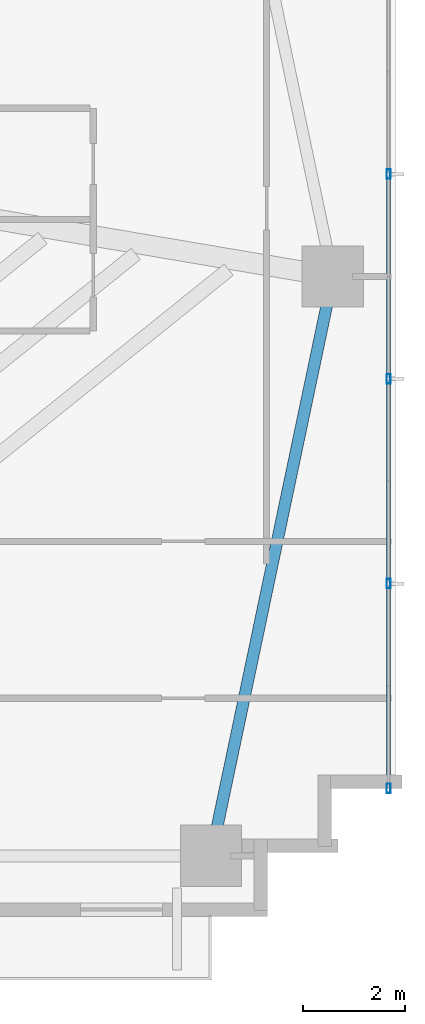
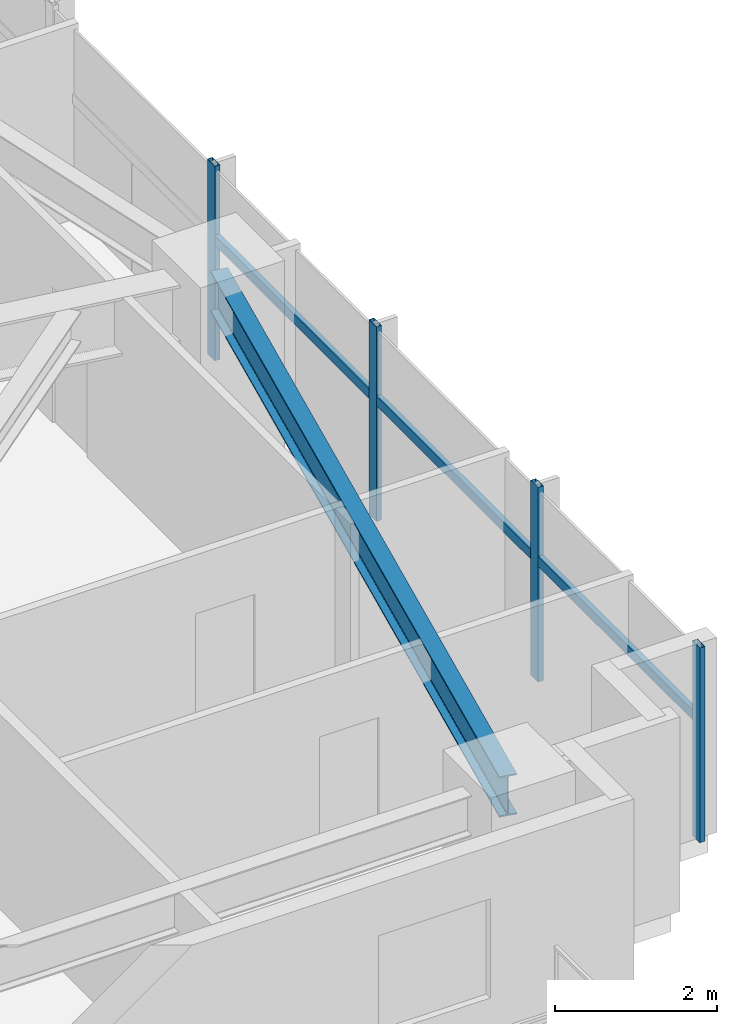
# One storey, part 14 of 25: 7 members, 1 beam, 1 element without a shape of its own.
"""IFC4 building model written with IfcOpenShell, lengths in metres."""

from ifc_helpers import new_model, si_unit, direction, frame, origin, origin_2d, place, context, subcontext, project, spatial, hollow_rectangle, i_section, extrude, source, transform, mapped, material, material_profile, profile_set, type_object, type_shapes, element, aggregate, save


model = new_model("IFC4")

# Units and contexts
model_context = context("Model", 3, precision=1e-05, world=origin(), true_north=direction((0.0, 1.0)))
body_context = subcontext(model_context, "Body", "Model", "MODEL_VIEW")
ifc_project = project(units=[si_unit("LENGTHUNIT", "METRE"), si_unit("AREAUNIT", "SQUARE_METRE"), si_unit("VOLUMEUNIT", "CUBIC_METRE"), si_unit("PLANEANGLEUNIT", "RADIAN"), si_unit("MASSUNIT", "GRAM", prefix="KILO")], contexts=[model_context])

# Site, building, storey
site_placement = place(None, origin())
site = spatial("IfcSite", under=ifc_project, at=site_placement, CompositionType="ELEMENT")
building_placement = place(site_placement, origin())
building = spatial("IfcBuilding", under=site, at=building_placement, Name="Astriad Promenade Condominiums", CompositionType="ELEMENT")
storey_placement = place(building_placement, frame((0.0, 0.0, 51.800048828125)))
storey = spatial("IfcBuildingStorey", under=building, at=storey_placement, Name="L14", CompositionType="ELEMENT", Elevation=51.800048828125)

# Beam
ifc_material_1 = material(Name="Steel ASTM A992 Grade 50", Category="steel")
ifc_material_profile_1 = material_profile(ifc_material_1, i_section(OverallWidth=0.22900390625, OverallDepth=0.612060546875, WebThickness=0.011962890625, FlangeThickness=0.01953125, FilletRadius=0.017822265625, at=origin_2d()), Name="W24X84")
ifc_profile_set_1 = profile_set([ifc_material_profile_1], Name="Steel ASTM A992 Grade 50")
beam_type = type_object("IfcBeamType", Name="STEEL SPANDREL BEAM W24X84", PredefinedType="SPANDREL", material=ifc_profile_set_1)
shared_shape_1 = source(origin(), body_context, "Body", "SweptSolid", [
    extrude(i_section(OverallWidth=0.22900390625, OverallDepth=0.612060546875, WebThickness=0.011962890625, FlangeThickness=0.01953125, FilletRadius=0.017822265625, at=origin_2d()), origin(), (0.0, 0.0, 1.0), 11.487548828125),
])
type_shapes(beam_type, [shared_shape_1])
beam_placement = place(storey_placement, frame((56.208251953125, 3.919189453125, 2.634033203125), z_axis=(0.205748055501, 0.978604995725, 0.0), x_axis=(-0.978604995725, 0.205748055501, 0.0)))
element("IfcBeam", 1, at=beam_placement, inside=storey, type_object=beam_type, Name="Perimeter Spandrel Beam SP-E1-L14", PredefinedType="SPANDREL", context=body_context, shape_type="MappedRepresentation", body=[
    mapped(shared_shape_1, transform((0.0, 0.0, 0.0), scale=1.0)),
])

# Curtain wall, members
ifc_material_2 = material(Name="Anodised aluminium Black Dark Glass Unitised", Category="aluminium")
curtain_wall_type = type_object("IfcCurtainWallType", Name="CW-B1-DARK", PredefinedType="USERDEFINED", material=ifc_material_2)
curtain_wall_placement = place(storey_placement, origin())
curtain_wall = element("IfcCurtainWall", 2, at=curtain_wall_placement, inside=storey, type_object=curtain_wall_type, Name="CW-L14-E", ObjectType="UNITISED_CURTAIN_WALL", PredefinedType="USERDEFINED")
ifc_material_3 = material(Name="Anodised aluminium 6063-T6 Black", Category="aluminium")
ifc_material_profile_2 = material_profile(ifc_material_3, hollow_rectangle(XDim=0.074951171875, YDim=0.18505859375, WallThickness=0.00439453125, at=origin_2d()), Name="ALU-MUL-75X185")
ifc_profile_set_2 = profile_set([ifc_material_profile_2], Name="Anodised aluminium 6063-T6 Black")
member_type_1 = type_object("IfcMemberType", Name="MUL-ALU-MUL-75X185", PredefinedType="MULLION", material=ifc_profile_set_2)
shared_shape_2 = source(origin(), body_context, "Body", "SweptSolid", [
    extrude(hollow_rectangle(XDim=0.074951171875, YDim=0.18505859375, WallThickness=0.00439453125, at=origin_2d()), origin(), (0.0, 0.0, 1.0), 2.93994140625),
])
type_shapes(member_type_1, [shared_shape_2])
member_1_placement = place(storey_placement, frame((59.669921875, 17.199951171875, 0.0), z_axis=(0.0, 0.0, 1.0), x_axis=(1.0, 0.0, 0.0)))
member_1 = element("IfcMember", 3, at=member_1_placement, type_object=member_type_1, Name="CW-L14-E-MUL-02", PredefinedType="MULLION", context=body_context, shape_type="MappedRepresentation", body=[
    mapped(shared_shape_2, transform((0.0, 0.0, 0.0), scale=1.0)),
])
member_2_placement = place(storey_placement, frame((59.669921875, 13.199951171875, 0.0), z_axis=(0.0, 0.0, 1.0), x_axis=(1.0, 0.0, 0.0)))
member_2 = element("IfcMember", 4, at=member_2_placement, type_object=member_type_1, Name="CW-L14-E-MUL-03", PredefinedType="MULLION", context=body_context, shape_type="MappedRepresentation", body=[
    mapped(shared_shape_2, transform((0.0, 0.0, 0.0), scale=1.0)),
])
member_3_placement = place(storey_placement, frame((59.669921875, 9.199951171875, 0.0), z_axis=(0.0, 0.0, 1.0), x_axis=(1.0, 0.0, 0.0)))
member_3 = element("IfcMember", 5, at=member_3_placement, type_object=member_type_1, Name="CW-L14-E-MUL-04", PredefinedType="MULLION", context=body_context, shape_type="MappedRepresentation", body=[
    mapped(shared_shape_2, transform((0.0, 0.0, 0.0), scale=1.0)),
])
member_4_placement = place(storey_placement, frame((59.669921875, 5.199951171875, 0.0), z_axis=(0.0, 0.0, 1.0), x_axis=(1.0, 0.0, 0.0)))
member_4 = element("IfcMember", 6, at=member_4_placement, type_object=member_type_1, Name="CW-L14-E-MUL-05", PredefinedType="MULLION", context=body_context, shape_type="MappedRepresentation", body=[
    mapped(shared_shape_2, transform((0.0, 0.0, 0.0), scale=1.0)),
])
ifc_material_profile_3 = material_profile(ifc_material_3, hollow_rectangle(XDim=0.074951171875, YDim=0.14990234375, WallThickness=0.004150390625, at=origin_2d()), Name="ALU-TRN-75X150")
ifc_profile_set_3 = profile_set([ifc_material_profile_3], Name="Anodised aluminium 6063-T6 Black")
member_type_2 = type_object("IfcMemberType", Name="TRN-ALU-TRN-75X150", PredefinedType="USERDEFINED", material=ifc_profile_set_3)
shared_shape_3 = source(origin(), body_context, "Body", "SweptSolid", [
    extrude(hollow_rectangle(XDim=0.074951171875, YDim=0.14990234375, WallThickness=0.004150390625, at=origin_2d()), origin(), (0.0, 0.0, 1.0), 4.0),
])
type_shapes(member_type_2, [shared_shape_3])
member_5_placement = place(storey_placement, frame((59.669921875, 17.199951171875, 1.82275390625), z_axis=(0.0, -1.0, 0.0), x_axis=(1.0, 0.0, 0.0)))
member_5 = element("IfcMember", 7, at=member_5_placement, type_object=member_type_2, Name="CW-L14-E-TRN-02-0", ObjectType="TRANSOM", PredefinedType="USERDEFINED", context=body_context, shape_type="MappedRepresentation", body=[
    mapped(shared_shape_3, transform((0.0, 0.0, 0.0), scale=1.0)),
])
member_6_placement = place(storey_placement, frame((59.669921875, 13.199951171875, 1.82275390625), z_axis=(0.0, -1.0, 0.0), x_axis=(1.0, 0.0, 0.0)))
member_6 = element("IfcMember", 8, at=member_6_placement, type_object=member_type_2, Name="CW-L14-E-TRN-03-0", ObjectType="TRANSOM", PredefinedType="USERDEFINED", context=body_context, shape_type="MappedRepresentation", body=[
    mapped(shared_shape_3, transform((0.0, 0.0, 0.0), scale=1.0)),
])
member_7_placement = place(storey_placement, frame((59.669921875, 9.199951171875, 1.82275390625), z_axis=(0.0, -1.0, 0.0), x_axis=(1.0, 0.0, 0.0)))
member_7 = element("IfcMember", 9, at=member_7_placement, type_object=member_type_2, Name="CW-L14-E-TRN-04-0", ObjectType="TRANSOM", PredefinedType="USERDEFINED", context=body_context, shape_type="MappedRepresentation", body=[
    mapped(shared_shape_3, transform((0.0, 0.0, 0.0), scale=1.0)),
])
aggregate(curtain_wall, [member_1, member_2, member_3, member_4, member_5, member_6, member_7])

save(model, "model.ifc")
